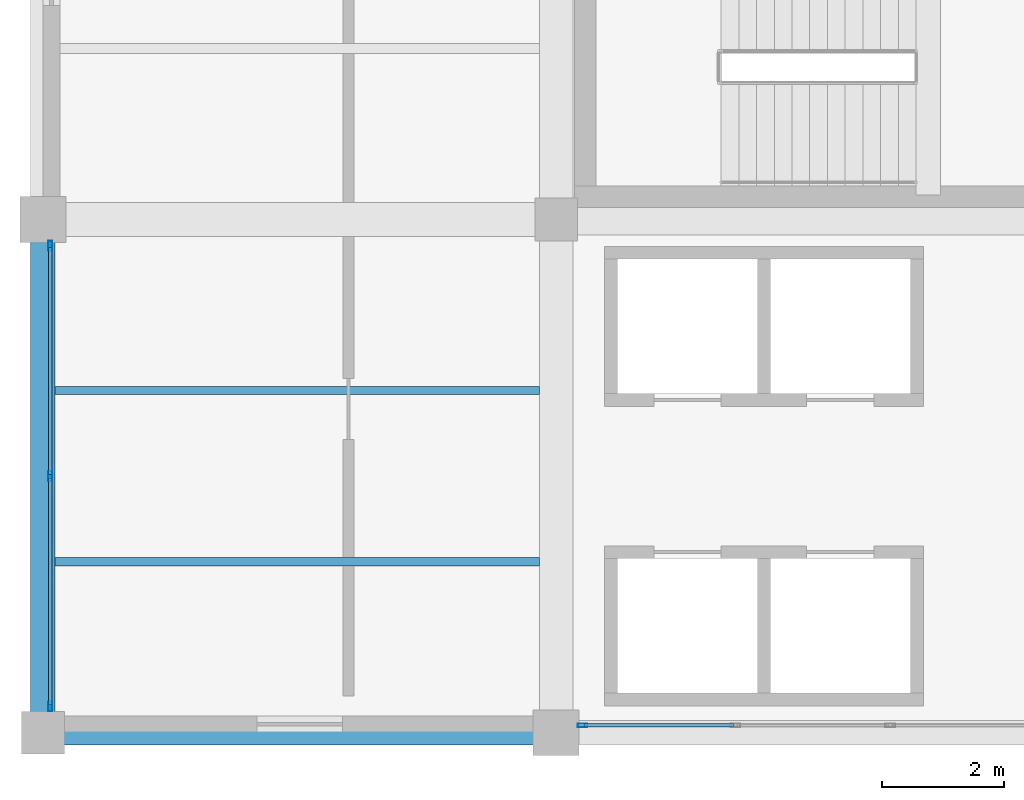
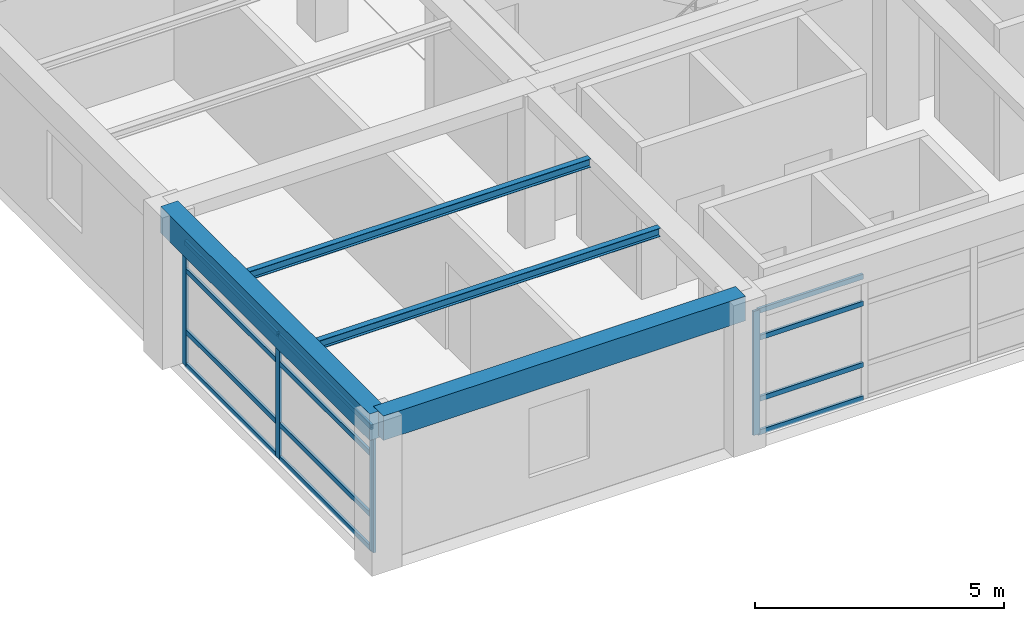
# One storey, part 2 of 31: 16 members, 4 beams, 2 elements without a shape of their own.
"""IFC4 building model written with IfcOpenShell, lengths in metres."""

from ifc_helpers import new_model, si_unit, direction, frame, origin, origin_2d, place, context, subcontext, project, spatial, rectangle, hollow_rectangle, i_section, extrude, material, material_profile, profile_set, type_object, element, aggregate, save


model = new_model("IFC4")

# Units and contexts
model_context = context("Model", 3, precision=1e-05, world=origin(), true_north=direction((0.0, 1.0)))
body_context = subcontext(model_context, "Body", "Model", "MODEL_VIEW")
ifc_project = project(units=[si_unit("LENGTHUNIT", "METRE"), si_unit("AREAUNIT", "SQUARE_METRE"), si_unit("VOLUMEUNIT", "CUBIC_METRE"), si_unit("PLANEANGLEUNIT", "RADIAN"), si_unit("MASSUNIT", "GRAM", prefix="KILO")], contexts=[model_context])

# Site, building, storey
site_placement = place(None, origin())
site = spatial("IfcSite", under=ifc_project, at=site_placement, CompositionType="ELEMENT")
building_placement = place(site_placement, origin())
building = spatial("IfcBuilding", under=site, at=building_placement, Name="Almacenes y Pasaje Nevantli", CompositionType="ELEMENT")
storey_placement = place(building_placement, frame((0.0, 0.0, 34.699951171875)))
storey = spatial("IfcBuildingStorey", under=building, at=storey_placement, Name="L08", CompositionType="ELEMENT", Elevation=34.699951171875)

# Beams
ifc_material_1 = material(Name="Concrete C35/45", Category="concrete")
ifc_material_profile_1 = material_profile(ifc_material_1, rectangle(XDim=0.39990234375, YDim=0.60009765625, at=origin_2d()), Name="RC-BM-400x600")
ifc_profile_set_1 = profile_set([ifc_material_profile_1], Name="Concrete C35/45")
beam_type_1 = type_object("IfcBeamType", Name="BM-RC-400x600", PredefinedType="SPANDREL", material=ifc_profile_set_1)
beam_1_placement = place(storey_placement, frame((109.199951171875, 67.199951171875, 3.420166015625), z_axis=(1.0, 0.0, 0.0), x_axis=(0.0, 1.0, 0.0)))
element("IfcBeam", 1, at=beam_1_placement, inside=storey, type_object=beam_type_1, Name="L08 East-West Reinforced Concrete Beam #3685", PredefinedType="SPANDREL", context=body_context, shape_type="SweptSolid", body=[
    extrude(rectangle(XDim=0.39990234375, YDim=0.60009765625, at=origin_2d()), origin(), (0.0, 0.0, 1.0), 8.400146484375),
])
ifc_material_2 = material(Name="Concrete C35/45", Category="concrete")
ifc_material_profile_2 = material_profile(ifc_material_2, rectangle(XDim=0.39990234375, YDim=0.64990234375, at=origin_2d()), Name="RC-BM-400x650")
ifc_profile_set_2 = profile_set([ifc_material_profile_2], Name="Concrete C35/45")
beam_type_2 = type_object("IfcBeamType", Name="BM-RC-400x650", PredefinedType="SPANDREL", material=ifc_profile_set_2)
beam_2_placement = place(storey_placement, frame((109.199951171875, 67.199951171875, 3.39501953125), z_axis=(0.0, 1.0, 0.0), x_axis=(-1.0, 0.0, 0.0)))
element("IfcBeam", 2, at=beam_2_placement, inside=storey, type_object=beam_type_2, Name="L08 North-South Reinforced Concrete Beam #3715", PredefinedType="SPANDREL", context=body_context, shape_type="SweptSolid", body=[
    extrude(rectangle(XDim=0.39990234375, YDim=0.64990234375, at=origin_2d()), origin(), (0.0, 0.0, 1.0), 8.400146484375),
])
ifc_material_3 = material(Name="Steel ASTM A992", Category="steel")
ifc_material_profile_3 = material_profile(ifc_material_3, i_section(OverallWidth=0.134033203125, OverallDepth=0.2099609375, WebThickness=0.00634765625, FlangeThickness=0.01025390625, at=origin_2d()), Name="IR 203x31.3")
ifc_profile_set_3 = profile_set([ifc_material_profile_3], Name="Steel ASTM A992")
beam_type_3 = type_object("IfcBeamType", Name="BM-STL-IR-203x31p3", PredefinedType="JOIST", material=ifc_profile_set_3)
for number, where, z_axis, x_axis, name in (
    (3, (109.39990234375, 70.0, 3.60693359375), (1.0, 0.0, 0.0), (0.0, 1.0, 0.0), "L08 Secondary Steel Floor Joist #1421"),
    (4, (109.39990234375, 72.800048828125, 3.60693359375), (1.0, 0.0, 0.0), (0.0, 1.0, 0.0), "L08 Secondary Steel Floor Joist #1422"),
):
    element("IfcBeam", number, at=place(storey_placement, frame(where, z_axis=z_axis, x_axis=x_axis)), inside=storey, type_object=beam_type_3, Name=name, PredefinedType="JOIST", context=body_context, shape_type="SweptSolid", body=[
        extrude(i_section(OverallWidth=0.134033203125, OverallDepth=0.2099609375, WebThickness=0.00634765625, FlangeThickness=0.01025390625, at=origin_2d()), origin(), (0.0, 0.0, 1.0), 7.925048828125),
    ])

# Curtain wall, member
ifc_material_4 = material(Name="Thermally Broken Aluminium and Low-E Glass", Category="aluminium")
curtain_wall_type = type_object("IfcCurtainWallType", Name="CW-UNIT-TOWER", PredefinedType="USERDEFINED", material=ifc_material_4)
curtain_wall_1_placement = place(storey_placement, origin())
curtain_wall_1 = element("IfcCurtainWall", 5, at=curtain_wall_1_placement, inside=storey, type_object=curtain_wall_type, Name="L08 Tower South Unitized Curtain Wall Bay 15", ObjectType="UNITIZED CURTAIN WALL", PredefinedType="USERDEFINED")
ifc_material_5 = material(Name="Thermally Broken Anodized Aluminium", Category="aluminium")
ifc_material_profile_4 = material_profile(ifc_material_5, hollow_rectangle(XDim=0.06005859375, YDim=0.159912109375, WallThickness=0.00390625, at=origin_2d()), Name="ALU-MUL-60x160")
ifc_profile_set_4 = profile_set([ifc_material_profile_4], Name="Thermally Broken Anodized Aluminium")
member_type_1 = type_object("IfcMemberType", Name="CW-MUL-180", PredefinedType="MULLION", material=ifc_profile_set_4)
member_1_placement = place(storey_placement, frame((118.030029296875, 67.320068359375, 0.0), z_axis=(0.0, 0.0, 1.0), x_axis=(0.0, 1.0, 0.0)))
member_1 = element("IfcMember", 6, at=member_1_placement, type_object=member_type_1, Name="CW-L08-122 mullion 1", PredefinedType="MULLION", context=body_context, shape_type="SweptSolid", body=[
    extrude(hollow_rectangle(XDim=0.06005859375, YDim=0.159912109375, WallThickness=0.00390625, at=origin_2d()), origin(), (0.0, 0.0, 1.0), 3.0400390625),
])

# Curtain wall, members
curtain_wall_2_placement = place(storey_placement, origin())
curtain_wall_2 = element("IfcCurtainWall", 7, at=curtain_wall_2_placement, inside=storey, type_object=curtain_wall_type, Name="L08 Tower West Curtain Wall Bay 9", ObjectType="UNITIZED CURTAIN WALL", PredefinedType="USERDEFINED")
member_2_placement = place(storey_placement, frame((109.320068359375, 67.6298828125, 0.0), z_axis=(0.0, 0.0, 1.0), x_axis=(-1.0, 0.0, 0.0)))
member_2 = element("IfcMember", 8, at=member_2_placement, type_object=member_type_1, Name="CW-L08-127 mullion 1", PredefinedType="MULLION", context=body_context, shape_type="SweptSolid", body=[
    extrude(hollow_rectangle(XDim=0.06005859375, YDim=0.159912109375, WallThickness=0.00390625, at=origin_2d()), origin(), (0.0, 0.0, 1.0), 3.0400390625),
])
member_3_placement = place(storey_placement, frame((109.320068359375, 71.39990234375, 0.0), z_axis=(0.0, 0.0, 1.0), x_axis=(-1.0, 0.0, 0.0)))
member_3 = element("IfcMember", 9, at=member_3_placement, type_object=member_type_1, Name="CW-L08-127 mullion 2", PredefinedType="MULLION", context=body_context, shape_type="SweptSolid", body=[
    extrude(hollow_rectangle(XDim=0.06005859375, YDim=0.159912109375, WallThickness=0.00390625, at=origin_2d()), origin(), (0.0, 0.0, 1.0), 3.0400390625),
])
member_4_placement = place(storey_placement, frame((109.320068359375, 75.169921875, 0.0), z_axis=(0.0, 0.0, 1.0), x_axis=(-1.0, 0.0, 0.0)))
member_4 = element("IfcMember", 10, at=member_4_placement, type_object=member_type_1, Name="CW-L08-127 mullion 3", PredefinedType="MULLION", context=body_context, shape_type="SweptSolid", body=[
    extrude(hollow_rectangle(XDim=0.06005859375, YDim=0.159912109375, WallThickness=0.00390625, at=origin_2d()), origin(), (0.0, 0.0, 1.0), 3.0400390625),
])

# Member
ifc_material_6 = material(Name="Thermally Broken Anodized Aluminium", Category="aluminium")
ifc_material_profile_5 = material_profile(ifc_material_6, hollow_rectangle(XDim=0.06005859375, YDim=0.1201171875, WallThickness=0.00341796875, at=origin_2d()), Name="ALU-TRN-60x120")
ifc_profile_set_5 = profile_set([ifc_material_profile_5], Name="Thermally Broken Anodized Aluminium")
member_type_2 = type_object("IfcMemberType", Name="CW-TRN-130", PredefinedType="USERDEFINED", material=ifc_profile_set_5)
member_5_placement = place(storey_placement, frame((118.06005859375, 67.320068359375, 0.030029296875), z_axis=(1.0, 0.0, 0.0), x_axis=(0.0, 1.0, 0.0)))
member_5 = element("IfcMember", 11, at=member_5_placement, type_object=member_type_2, Name="CW-L08-122 transom 1.1", ObjectType="TRANSOM", PredefinedType="USERDEFINED", context=body_context, shape_type="SweptSolid", body=[
    extrude(hollow_rectangle(XDim=0.06005859375, YDim=0.1201171875, WallThickness=0.00341796875, at=origin_2d()), origin(), (0.0, 0.0, 1.0), 2.443359375),
])

member_6_placement = place(storey_placement, frame((118.06005859375, 67.320068359375, 0.85009765625), z_axis=(1.0, 0.0, 0.0), x_axis=(0.0, 1.0, 0.0)))
member_6 = element("IfcMember", 12, at=member_6_placement, type_object=member_type_2, Name="CW-L08-122 transom 1.2", ObjectType="TRANSOM", PredefinedType="USERDEFINED", context=body_context, shape_type="SweptSolid", body=[
    extrude(hollow_rectangle(XDim=0.06005859375, YDim=0.1201171875, WallThickness=0.00341796875, at=origin_2d()), origin(), (0.0, 0.0, 1.0), 2.443359375),
])

member_7_placement = place(storey_placement, frame((118.06005859375, 67.320068359375, 2.35009765625), z_axis=(1.0, 0.0, 0.0), x_axis=(0.0, 1.0, 0.0)))
member_7 = element("IfcMember", 13, at=member_7_placement, type_object=member_type_2, Name="CW-L08-122 transom 1.3", ObjectType="TRANSOM", PredefinedType="USERDEFINED", context=body_context, shape_type="SweptSolid", body=[
    extrude(hollow_rectangle(XDim=0.06005859375, YDim=0.1201171875, WallThickness=0.00341796875, at=origin_2d()), origin(), (0.0, 0.0, 1.0), 2.443359375),
])

member_8_placement = place(storey_placement, frame((118.06005859375, 67.320068359375, 3.010009765625), z_axis=(1.0, 0.0, 0.0), x_axis=(0.0, 1.0, 0.0)))
member_8 = element("IfcMember", 14, at=member_8_placement, type_object=member_type_2, Name="CW-L08-122 transom 1.4", ObjectType="TRANSOM", PredefinedType="USERDEFINED", context=body_context, shape_type="SweptSolid", body=[
    extrude(hollow_rectangle(XDim=0.06005859375, YDim=0.1201171875, WallThickness=0.00341796875, at=origin_2d()), origin(), (0.0, 0.0, 1.0), 2.443359375),
])

aggregate(curtain_wall_1, [member_1, member_5, member_6, member_7, member_8])

member_9_placement = place(storey_placement, frame((109.320068359375, 67.659912109375, 0.030029296875), z_axis=(0.0, 1.0, 0.0), x_axis=(-1.0, 0.0, 0.0)))
member_9 = element("IfcMember", 15, at=member_9_placement, type_object=member_type_2, Name="CW-L08-127 transom 1.1", ObjectType="TRANSOM", PredefinedType="USERDEFINED", context=body_context, shape_type="SweptSolid", body=[
    extrude(hollow_rectangle(XDim=0.06005859375, YDim=0.1201171875, WallThickness=0.00341796875, at=origin_2d()), origin(), (0.0, 0.0, 1.0), 3.710205078125),
])

member_10_placement = place(storey_placement, frame((109.320068359375, 67.659912109375, 0.85009765625), z_axis=(0.0, 1.0, 0.0), x_axis=(-1.0, 0.0, 0.0)))
member_10 = element("IfcMember", 16, at=member_10_placement, type_object=member_type_2, Name="CW-L08-127 transom 1.2", ObjectType="TRANSOM", PredefinedType="USERDEFINED", context=body_context, shape_type="SweptSolid", body=[
    extrude(hollow_rectangle(XDim=0.06005859375, YDim=0.1201171875, WallThickness=0.00341796875, at=origin_2d()), origin(), (0.0, 0.0, 1.0), 3.710205078125),
])

member_11_placement = place(storey_placement, frame((109.320068359375, 67.659912109375, 2.35009765625), z_axis=(0.0, 1.0, 0.0), x_axis=(-1.0, 0.0, 0.0)))
member_11 = element("IfcMember", 17, at=member_11_placement, type_object=member_type_2, Name="CW-L08-127 transom 1.3", ObjectType="TRANSOM", PredefinedType="USERDEFINED", context=body_context, shape_type="SweptSolid", body=[
    extrude(hollow_rectangle(XDim=0.06005859375, YDim=0.1201171875, WallThickness=0.00341796875, at=origin_2d()), origin(), (0.0, 0.0, 1.0), 3.710205078125),
])

member_12_placement = place(storey_placement, frame((109.320068359375, 67.659912109375, 3.010009765625), z_axis=(0.0, 1.0, 0.0), x_axis=(-1.0, 0.0, 0.0)))
member_12 = element("IfcMember", 18, at=member_12_placement, type_object=member_type_2, Name="CW-L08-127 transom 1.4", ObjectType="TRANSOM", PredefinedType="USERDEFINED", context=body_context, shape_type="SweptSolid", body=[
    extrude(hollow_rectangle(XDim=0.06005859375, YDim=0.1201171875, WallThickness=0.00341796875, at=origin_2d()), origin(), (0.0, 0.0, 1.0), 3.710205078125),
])

member_13_placement = place(storey_placement, frame((109.320068359375, 71.429931640625, 0.030029296875), z_axis=(0.0, 1.0, 0.0), x_axis=(-1.0, 0.0, 0.0)))
member_13 = element("IfcMember", 19, at=member_13_placement, type_object=member_type_2, Name="CW-L08-127 transom 2.1", ObjectType="TRANSOM", PredefinedType="USERDEFINED", context=body_context, shape_type="SweptSolid", body=[
    extrude(hollow_rectangle(XDim=0.06005859375, YDim=0.1201171875, WallThickness=0.00341796875, at=origin_2d()), origin(), (0.0, 0.0, 1.0), 3.7099609375),
])

member_14_placement = place(storey_placement, frame((109.320068359375, 71.429931640625, 0.85009765625), z_axis=(0.0, 1.0, 0.0), x_axis=(-1.0, 0.0, 0.0)))
member_14 = element("IfcMember", 20, at=member_14_placement, type_object=member_type_2, Name="CW-L08-127 transom 2.2", ObjectType="TRANSOM", PredefinedType="USERDEFINED", context=body_context, shape_type="SweptSolid", body=[
    extrude(hollow_rectangle(XDim=0.06005859375, YDim=0.1201171875, WallThickness=0.00341796875, at=origin_2d()), origin(), (0.0, 0.0, 1.0), 3.7099609375),
])

member_15_placement = place(storey_placement, frame((109.320068359375, 71.429931640625, 2.35009765625), z_axis=(0.0, 1.0, 0.0), x_axis=(-1.0, 0.0, 0.0)))
member_15 = element("IfcMember", 21, at=member_15_placement, type_object=member_type_2, Name="CW-L08-127 transom 2.3", ObjectType="TRANSOM", PredefinedType="USERDEFINED", context=body_context, shape_type="SweptSolid", body=[
    extrude(hollow_rectangle(XDim=0.06005859375, YDim=0.1201171875, WallThickness=0.00341796875, at=origin_2d()), origin(), (0.0, 0.0, 1.0), 3.7099609375),
])

member_16_placement = place(storey_placement, frame((109.320068359375, 71.429931640625, 3.010009765625), z_axis=(0.0, 1.0, 0.0), x_axis=(-1.0, 0.0, 0.0)))
member_16 = element("IfcMember", 22, at=member_16_placement, type_object=member_type_2, Name="CW-L08-127 transom 2.4", ObjectType="TRANSOM", PredefinedType="USERDEFINED", context=body_context, shape_type="SweptSolid", body=[
    extrude(hollow_rectangle(XDim=0.06005859375, YDim=0.1201171875, WallThickness=0.00341796875, at=origin_2d()), origin(), (0.0, 0.0, 1.0), 3.7099609375),
])

aggregate(curtain_wall_2, [member_2, member_3, member_4, member_9, member_10, member_11, member_12, member_13, member_14, member_15, member_16])

save(model, "model.ifc")
